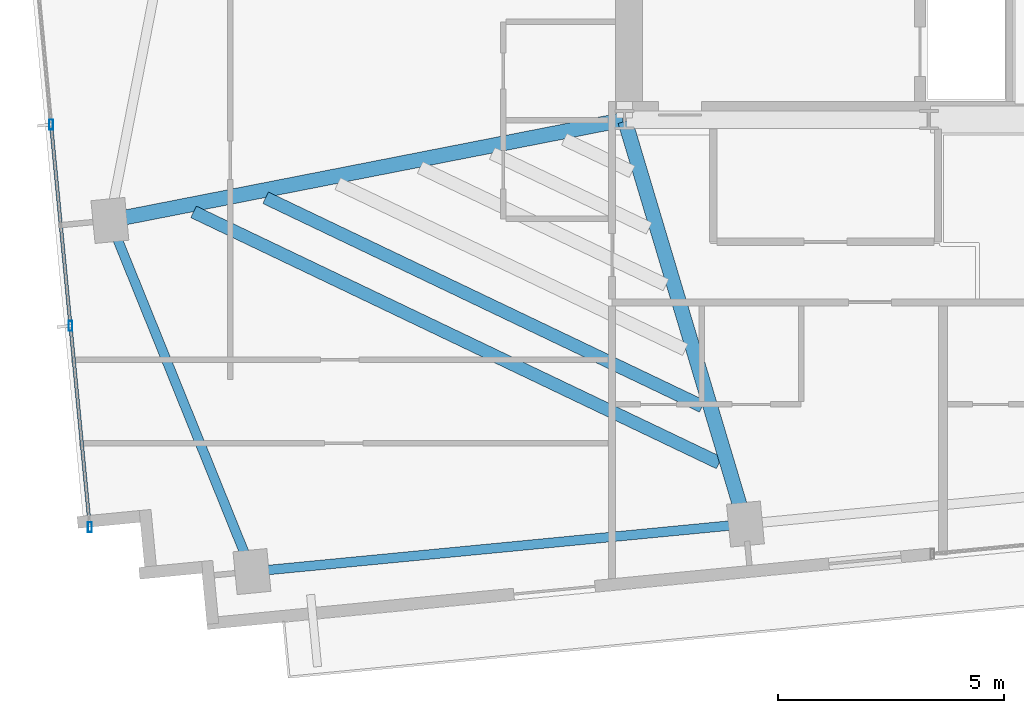
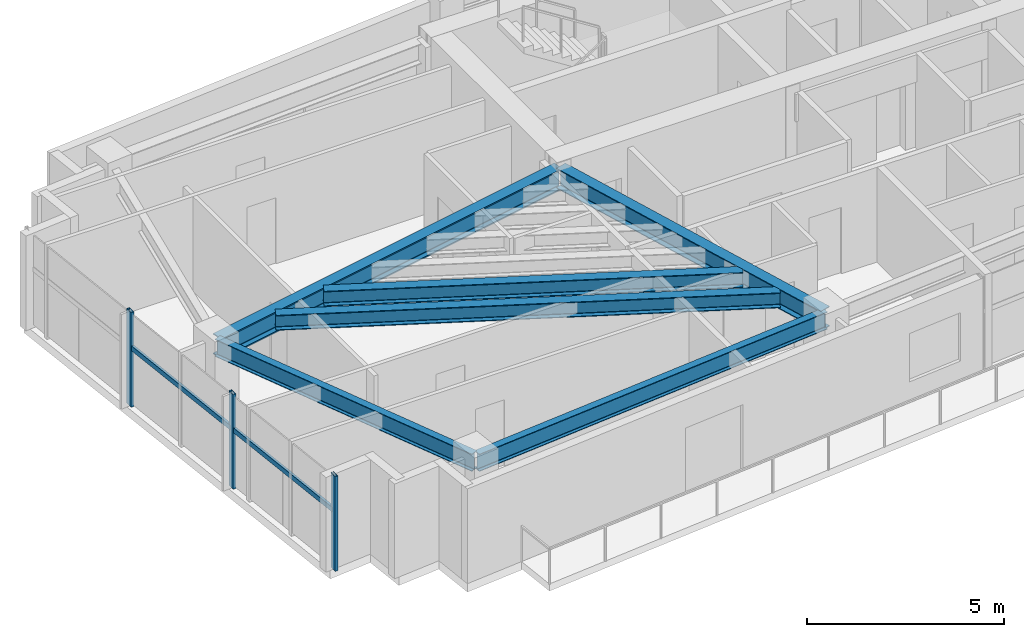
# One storey, part 2 of 18: 6 beams, 5 members, 1 element without a shape of its own.
"""IFC4 building model written with IfcOpenShell, lengths in metres."""

import ifcopenshell
import ifcopenshell.guid

model = None  # the IFC model being written
_history = None  # IfcOwnerHistory: only IFC2X3 demands one
_inside = {}  # id of a spatial element -> (the spatial element, [elements in it])
_under = {}  # id of a project, library or spatial element -> (it, [spatial elements below it])
_declared = {}  # id of a project -> (the project, [libraries it declares])
_typed = {}  # id of a type object -> (the type object, [elements of that type])
_made_of = {}  # id of a material, layer set ... -> (it, [elements and type objects made of it])


def new_model(schema):
    """Start an empty IFC model of exactly this schema.

    Asked for "IFC4X3", IfcOpenShell would pick the latest addendum, in which some entities
    have other attributes; the version numbers below select the first issue.
    IFC2X3 requires an IfcOwnerHistory on every rooted entity: one is made here for all.
    """
    global model, _history
    if schema == "IFC4X3":
        model = ifcopenshell.file(schema_version=(4, 3, 0, 0))
    else:
        model = ifcopenshell.file(schema=schema)
    _inside.clear()
    _under.clear()
    _declared.clear()
    _typed.clear()
    _made_of.clear()
    _history = None
    if model.schema == "IFC2X3":
        org = make("IfcOrganization", Name="unknown")
        user = make(
            "IfcPersonAndOrganization",
            ThePerson=make("IfcPerson", FamilyName="unknown"),
            TheOrganization=org,
        )
        app = make(
            "IfcApplication",
            ApplicationDeveloper=org,
            Version="unknown",
            ApplicationFullName="unknown",
            ApplicationIdentifier="unknown",
        )
        _history = make(
            "IfcOwnerHistory",
            OwningUser=user,
            OwningApplication=app,
            ChangeAction="ADDED",
            CreationDate=0,
        )
    return model


def make(cls, **values):
    """One entity of the class cls with the attributes given. An attribute that is None is left unset."""
    return model.create_entity(
        cls, **{name: value for name, value in values.items() if value is not None}
    )


def rooted(cls, **values):
    """An entity with a GlobalId (a new one), such as an element, a storey or a relation."""
    return make(cls, GlobalId=ifcopenshell.guid.new(), OwnerHistory=_history, **values)


def si_unit(unit_type, name, prefix=None):
    """IfcSIUnit, for example si_unit("LENGTHUNIT", "METRE", prefix="MILLI")."""
    return make("IfcSIUnit", UnitType=unit_type, Prefix=prefix, Name=name)


def assignment(units):
    """IfcUnitAssignment: the units of a project."""
    return None if units is None else make("IfcUnitAssignment", Units=units)


def point(xyz):
    """IfcCartesianPoint."""
    return None if xyz is None else make("IfcCartesianPoint", Coordinates=xyz)


def direction(xyz):
    """IfcDirection."""
    return None if xyz is None else make("IfcDirection", DirectionRatios=xyz)


def frame(location, z_axis=None, x_axis=None):
    """IfcAxis2Placement3D, a coordinate frame: its origin and axes. An axis left out is left unset."""
    return make(
        "IfcAxis2Placement3D",
        Location=point(location),
        Axis=direction(z_axis),
        RefDirection=direction(x_axis),
    )


def frame_2d(location, x_axis=None):
    """IfcAxis2Placement2D, a coordinate frame in the plane: its origin and x axis."""
    return make(
        "IfcAxis2Placement2D", Location=point(location), RefDirection=direction(x_axis)
    )


def origin():
    """The frame at (0, 0, 0) with its axes left unset."""
    return frame((0.0, 0.0, 0.0))


def origin_2d():
    """The frame at (0, 0) in the plane with its x axis left unset."""
    return frame_2d((0.0, 0.0))


def place(relative_to, where):
    """IfcLocalPlacement: puts the frame where relative to a parent placement (None: the world)."""
    return make(
        "IfcLocalPlacement", PlacementRelTo=relative_to, RelativePlacement=where
    )


def context(
    kind, dimensions, precision=None, world=None, true_north=None, identifier=None
):
    """IfcGeometricRepresentationContext, for example the 3D "Model" context."""
    return make(
        "IfcGeometricRepresentationContext",
        ContextIdentifier=identifier,
        ContextType=kind,
        CoordinateSpaceDimension=dimensions,
        Precision=precision,
        WorldCoordinateSystem=world,
        TrueNorth=true_north,
    )


def subcontext(parent, identifier, kind, view, scale=None):
    """IfcGeometricRepresentationSubContext, for example "Body" below "Model"."""
    return make(
        "IfcGeometricRepresentationSubContext",
        ContextIdentifier=identifier,
        ContextType=kind,
        ParentContext=parent,
        TargetScale=scale,
        TargetView=view,
    )


def project(units=None, contexts=None):
    """IfcProject with its units and contexts."""
    return rooted(
        "IfcProject",
        Name="project",
        RepresentationContexts=contexts,
        UnitsInContext=assignment(units),
    )


def spatial(cls, under=None, at=None, **own):
    """A site, building, storey or space (cls), placed at a placement, below another one or the project."""
    s = rooted(cls, ObjectPlacement=at, **own)
    if under is not None:
        _under.setdefault(under.id(), (under, []))[1].append(s)
    return s


def profile(cls, at=None, kind="AREA", **sizes):
    """A parametric profile (cls). Its sizes go by their IFC names, for example OverallWidth=200.0."""
    return make(cls, ProfileType=kind, Position=at, **sizes)


def hollow_rectangle(**sizes):
    """IfcRectangleHollowProfileDef."""
    return profile("IfcRectangleHollowProfileDef", **sizes)


def i_section(**sizes):
    """IfcIShapeProfileDef."""
    return profile("IfcIShapeProfileDef", **sizes)


def extrude(swept, where, along, depth):
    """IfcExtrudedAreaSolid: the profile swept, set in the frame where, extruded along a direction by depth."""
    return make(
        "IfcExtrudedAreaSolid",
        SweptArea=swept,
        Position=where,
        ExtrudedDirection=direction(along),
        Depth=depth,
    )


def shape(context_of_items, identifier, shape_type, items):
    """IfcShapeRepresentation: the items that make up one representation, for example the "Body"."""
    return make(
        "IfcShapeRepresentation",
        ContextOfItems=context_of_items,
        RepresentationIdentifier=identifier,
        RepresentationType=shape_type,
        Items=items,
    )


def source(mapping_origin, context_of_items, identifier, shape_type, items):
    """IfcRepresentationMap: a shape defined once, which mapped items show again and again."""
    return make(
        "IfcRepresentationMap",
        MappingOrigin=mapping_origin,
        MappedRepresentation=shape(context_of_items, identifier, shape_type, items),
    )


def transform(
    local_origin,
    x_axis=None,
    y_axis=None,
    z_axis=None,
    scale=None,
    scale2=None,
    scale3=None,
    uniform=True,
):
    """IfcCartesianTransformationOperator3D, or its non-uniform kind. x_axis, y_axis, z_axis: its Axis1, 2, 3."""
    if uniform:
        return make(
            "IfcCartesianTransformationOperator3D",
            Axis1=direction(x_axis),
            Axis2=direction(y_axis),
            LocalOrigin=point(local_origin),
            Scale=scale,
            Axis3=direction(z_axis),
        )
    return make(
        "IfcCartesianTransformationOperator3DnonUniform",
        Axis1=direction(x_axis),
        Axis2=direction(y_axis),
        LocalOrigin=point(local_origin),
        Scale=scale,
        Axis3=direction(z_axis),
        Scale2=scale2,
        Scale3=scale3,
    )


def mapped(mapping_source, mapping_target):
    """IfcMappedItem: shows the shape of a source again, moved by a transform."""
    return make(
        "IfcMappedItem", MappingSource=mapping_source, MappingTarget=mapping_target
    )


def material(Name=None, Category=None):
    """IfcMaterial."""
    return make("IfcMaterial", Name=Name, Category=Category)


def material_profile(
    of_material, cross_section, Name=None, Category=None, Priority=None
):
    """IfcMaterialProfile: a cross section and its material."""
    return make(
        "IfcMaterialProfile",
        Name=Name,
        Material=of_material,
        Profile=cross_section,
        Priority=Priority,
        Category=Category,
    )


def profile_set(profiles, Name=None, composite=None):
    """IfcMaterialProfileSet."""
    return make(
        "IfcMaterialProfileSet",
        Name=Name,
        MaterialProfiles=profiles,
        CompositeProfile=composite,
    )


def made_of(thing, what):
    """Note that an element or type object is made of a material, layer set ...; save() writes the relation."""
    if what is not None:
        _made_of.setdefault(what.id(), (what, []))[1].append(thing)
    return thing


def type_object(cls, material=None, **own):
    """A type object (cls), such as IfcWallType, which elements share."""
    return made_of(rooted(cls, **own), material)


def type_shapes(of_type, sources):
    """Give a type object the sources (RepresentationMaps) that its elements show as mapped items."""
    of_type.RepresentationMaps = sources


def element(
    cls,
    number,
    at=None,
    inside=None,
    cuts=None,
    type_object=None,
    material=None,
    context=None,
    identifier="Body",
    shape_type=None,
    held_by="IfcProductDefinitionShape",
    body=None,
    shapes=None,
    **own,
):
    """One element of the class cls, such as IfcWall. Its Tag is "e" and its number.

    at: its placement. inside: the storey or other place that contains it. cuts: it is an
    opening in that element (IfcRelVoidsElement). A single representation is given by context,
    identifier, shape_type and body (its items); several are given by shapes. held_by: the class
    of the entity that holds the representations. save() writes the other relations.
    """
    e = rooted(cls, Tag="e%d" % number, ObjectPlacement=at, **own)
    if body is not None:
        shapes = [shape(context, identifier, shape_type, body)]
    if shapes is not None:
        e.Representation = make(held_by, Representations=shapes)
    if inside is not None:
        _inside.setdefault(inside.id(), (inside, []))[1].append(e)
    if cuts is not None:
        rooted(
            "IfcRelVoidsElement", RelatingBuildingElement=cuts, RelatedOpeningElement=e
        )
    if type_object is not None:
        _typed.setdefault(type_object.id(), (type_object, []))[1].append(e)
    return made_of(e, material)


def aggregate(whole, parts):
    """IfcRelAggregates: a whole, such as a stair, and the parts it consists of."""
    return rooted("IfcRelAggregates", RelatingObject=whole, RelatedObjects=parts)


def save(model, path):
    """Write the relations noted so far, then the file.

    IfcRelAggregates (storeys below a building ...), IfcRelContainedInSpatialStructure (elements
    in a storey), IfcRelDefinesByType, IfcRelAssociatesMaterial and IfcRelDeclares: one each for
    every whole, place, type object, material and project.
    """
    for whole, parts in _under.values():
        aggregate(whole, parts)
    for where, things in _inside.values():
        rooted(
            "IfcRelContainedInSpatialStructure",
            RelatedElements=things,
            RelatingStructure=where,
        )
    for kind, things in _typed.values():
        rooted("IfcRelDefinesByType", RelatedObjects=things, RelatingType=kind)
    for what, things in _made_of.values():
        rooted("IfcRelAssociatesMaterial", RelatedObjects=things, RelatingMaterial=what)
    for by, libraries in _declared.values():
        rooted("IfcRelDeclares", RelatingContext=by, RelatedDefinitions=libraries)
    model.write(path)


model = new_model("IFC4")

# Units and contexts
model_context = context("Model", 3, precision=1e-05, world=origin(), true_north=direction((0.0, 1.0)))
body_context = subcontext(model_context, "Body", "Model", "MODEL_VIEW")
ifc_project = project(units=[si_unit("LENGTHUNIT", "METRE"), si_unit("AREAUNIT", "SQUARE_METRE"), si_unit("VOLUMEUNIT", "CUBIC_METRE"), si_unit("PLANEANGLEUNIT", "RADIAN"), si_unit("MASSUNIT", "GRAM", prefix="KILO")], contexts=[model_context])

# Site, building, storey
site_placement = place(None, origin())
site = spatial("IfcSite", under=ifc_project, at=site_placement, CompositionType="ELEMENT")
building_placement = place(site_placement, origin())
building = spatial("IfcBuilding", under=site, at=building_placement, Name="Astriad Promenade Condominiums", CompositionType="ELEMENT")
storey_placement = place(building_placement, frame((0.0, 0.0, 201.800048828125)))
storey = spatial("IfcBuildingStorey", under=building, at=storey_placement, Name="L58", CompositionType="ELEMENT", Elevation=201.800048828125)

# Beams
ifc_material_1 = material(Name="Steel ASTM A992 Grade 50", Category="steel")
ifc_material_profile_1 = material_profile(ifc_material_1, i_section(OverallWidth=0.210693359375, OverallDepth=0.53955078125, WebThickness=0.01171875, FlangeThickness=0.018798828125, FilletRadius=0.0166015625, at=origin_2d()), Name="W21X73")
ifc_profile_set_1 = profile_set([ifc_material_profile_1], Name="Steel ASTM A992 Grade 50")
beam_type_1 = type_object("IfcBeamType", Name="STEEL SPANDREL BEAM W21X73", PredefinedType="SPANDREL", material=ifc_profile_set_1)
shared_shape_1 = source(origin(), body_context, "Body", "SweptSolid", [
    extrude(i_section(OverallWidth=0.210693359375, OverallDepth=0.53955078125, WebThickness=0.01171875, FlangeThickness=0.018798828125, FilletRadius=0.0166015625, at=origin_2d()), origin(), (0.0, 0.0, 1.0), 10.8701171875),
])
beam_1_placement = place(storey_placement, frame((18.209228515625, 7.421630859375, 2.670166015625), z_axis=(0.995394986184, 0.09585834069, 0.0), x_axis=(-0.09585834069, 0.995394986184, 0.0)))
element("IfcBeam", 1, at=beam_1_placement, inside=storey, type_object=beam_type_1, Name="Perimeter Spandrel Beam SP-S1-L58", PredefinedType="SPANDREL", context=body_context, shape_type="MappedRepresentation", body=[
    mapped(shared_shape_1, transform((0.0, 0.0, 0.0), scale=1.0)),
])
shared_shape_2 = source(origin(), body_context, "Body", "SweptSolid", [
    extrude(i_section(OverallWidth=0.210693359375, OverallDepth=0.53955078125, WebThickness=0.01171875, FlangeThickness=0.018798828125, FilletRadius=0.0166015625, at=origin_2d()), origin(), (0.0, 0.0, 1.0), 8.28564453125),
])
type_shapes(beam_type_1, [shared_shape_1, shared_shape_2])
beam_2_placement = place(storey_placement, frame((15.046875, 15.1357421875, 2.670166015625), z_axis=(0.375070987134, -0.926996092014, 0.0), x_axis=(0.926996092014, 0.375070987134, 0.0)))
element("IfcBeam", 2, at=beam_2_placement, inside=storey, type_object=beam_type_1, Name="Perimeter Spandrel Beam SP-W1-L58", PredefinedType="SPANDREL", context=body_context, shape_type="MappedRepresentation", body=[
    mapped(shared_shape_2, transform((0.0, 0.0, 0.0), scale=1.0)),
])
ifc_material_profile_2 = material_profile(ifc_material_1, i_section(OverallWidth=0.327392578125, OverallDepth=0.640625, WebThickness=0.01904296875, FlangeThickness=0.033935546875, FilletRadius=0.017822265625, at=origin_2d()), Name="W24X176")
ifc_profile_set_2 = profile_set([ifc_material_profile_2], Name="Steel ASTM A992 Grade 50")
beam_type_2 = type_object("IfcBeamType", Name="STEEL FLOOR GIRDER W24X176", PredefinedType="BEAM", material=ifc_profile_set_2)
shared_shape_3 = source(origin(), body_context, "Body", "SweptSolid", [
    extrude(i_section(OverallWidth=0.327392578125, OverallDepth=0.640625, WebThickness=0.01904296875, FlangeThickness=0.033935546875, FilletRadius=0.017822265625, at=origin_2d()), origin(), (0.0, 0.0, 1.0), 11.504150390625),
])
type_shapes(beam_type_2, [shared_shape_3])
beam_3_placement = place(storey_placement, frame((15.071044921875, 15.1806640625, 2.61962890625), z_axis=(0.981346028441, 0.192249765833, 0.0), x_axis=(-0.192249765833, 0.981346028441, 0.0)))
element("IfcBeam", 3, at=beam_3_placement, inside=storey, type_object=beam_type_2, Name="Primary Floor Girder PG-WM-L58", PredefinedType="BEAM", context=body_context, shape_type="MappedRepresentation", body=[
    mapped(shared_shape_3, transform((0.0, 0.0, 0.0), scale=1.0)),
])
ifc_material_profile_3 = material_profile(ifc_material_1, i_section(OverallWidth=0.326416015625, OverallDepth=0.621826171875, WebThickness=0.015380859375, FlangeThickness=0.0244140625, FilletRadius=0.017822265625, at=origin_2d()), Name="W24X131")
ifc_profile_set_3 = profile_set([ifc_material_profile_3], Name="Steel ASTM A992 Grade 50")
beam_type_3 = type_object("IfcBeamType", Name="STEEL FLOOR GIRDER W24X131", PredefinedType="BEAM", material=ifc_profile_set_3)
shared_shape_4 = source(origin(), body_context, "Body", "SweptSolid", [
    extrude(i_section(OverallWidth=0.326416015625, OverallDepth=0.621826171875, WebThickness=0.015380859375, FlangeThickness=0.0244140625, FilletRadius=0.017822265625, at=origin_2d()), origin(), (0.0, 0.0, 1.0), 9.242919921875),
])
type_shapes(beam_type_3, [shared_shape_4])
beam_4_placement = place(storey_placement, frame((29.0576171875, 8.505615234375, 2.629150390625), z_axis=(-0.286269354745, 0.958149182818, 0.0), x_axis=(-0.958149182818, -0.286269354745, 0.0)))
element("IfcBeam", 4, at=beam_4_placement, inside=storey, type_object=beam_type_3, Name="Primary Floor Girder PG-W2-L58", PredefinedType="BEAM", context=body_context, shape_type="MappedRepresentation", body=[
    mapped(shared_shape_4, transform((0.0, 0.0, 0.0), scale=1.0)),
])
ifc_material_profile_4 = material_profile(ifc_material_1, i_section(OverallWidth=0.283203125, OverallDepth=0.47216796875, WebThickness=0.013671875, FlangeThickness=0.022216796875, FilletRadius=0.01513671875, at=origin_2d()), Name="W18X97")
ifc_profile_set_4 = profile_set([ifc_material_profile_4], Name="Steel ASTM A992 Grade 50")
beam_type_4 = type_object("IfcBeamType", Name="STEEL FLOOR JOIST W18X97", PredefinedType="JOIST", material=ifc_profile_set_4)
shared_shape_5 = source(origin(), body_context, "Body", "SweptSolid", [
    extrude(i_section(OverallWidth=0.283203125, OverallDepth=0.47216796875, WebThickness=0.013671875, FlangeThickness=0.022216796875, FilletRadius=0.01513671875, at=origin_2d()), origin(), (0.0, 0.0, 1.0), 12.864013671875),
])
beam_5_placement = place(storey_placement, frame((16.8798828125, 15.362060546875, 2.703857421875), z_axis=(0.902332932985, -0.431039763886, 0.0), x_axis=(0.431039763886, 0.902332932985, 0.0)))
element("IfcBeam", 5, at=beam_5_placement, inside=storey, type_object=beam_type_4, Name="Secondary Composite Floor Joist JW1-1-L58", PredefinedType="JOIST", context=body_context, shape_type="MappedRepresentation", body=[
    mapped(shared_shape_5, transform((0.0, 0.0, 0.0), scale=1.0)),
])
shared_shape_6 = source(origin(), body_context, "Body", "SweptSolid", [
    extrude(i_section(OverallWidth=0.283203125, OverallDepth=0.47216796875, WebThickness=0.013671875, FlangeThickness=0.022216796875, FilletRadius=0.01513671875, at=origin_2d()), origin(), (0.0, 0.0, 1.0), 10.686279296875),
])
type_shapes(beam_type_4, [shared_shape_5, shared_shape_6])
beam_6_placement = place(storey_placement, frame((18.471435546875, 15.673828125, 2.703857421875), z_axis=(0.902342124644, -0.431020521661, 0.0), x_axis=(0.431020521661, 0.902342124644, 0.0)))
element("IfcBeam", 6, at=beam_6_placement, inside=storey, type_object=beam_type_4, Name="Secondary Composite Floor Joist JW1-2-L58", PredefinedType="JOIST", context=body_context, shape_type="MappedRepresentation", body=[
    mapped(shared_shape_6, transform((0.0, 0.0, 0.0), scale=1.0)),
])

# Curtain wall, members
ifc_material_2 = material(Name="Anodised aluminium Black Dark Glass Unitised", Category="aluminium")
curtain_wall_type = type_object("IfcCurtainWallType", Name="CW-B34-DARK", PredefinedType="USERDEFINED", material=ifc_material_2)
curtain_wall_placement = place(storey_placement, origin())
curtain_wall = element("IfcCurtainWall", 7, at=curtain_wall_placement, inside=storey, type_object=curtain_wall_type, Name="CW-L58-W", ObjectType="UNITISED_CURTAIN_WALL", PredefinedType="USERDEFINED")
ifc_material_3 = material(Name="Anodised aluminium 6063-T6 Black", Category="aluminium")
ifc_material_profile_5 = material_profile(ifc_material_3, hollow_rectangle(XDim=0.0849609375, YDim=0.219970703125, WallThickness=0.0048828125, at=origin_2d()), Name="ALU-MUL-85X220")
ifc_profile_set_5 = profile_set([ifc_material_profile_5], Name="Anodised aluminium 6063-T6 Black")
member_type_1 = type_object("IfcMemberType", Name="MUL-ALU-MUL-85X220", PredefinedType="MULLION", material=ifc_profile_set_5)
shared_shape_7 = source(origin(), body_context, "Body", "SweptSolid", [
    extrude(hollow_rectangle(XDim=0.0849609375, YDim=0.219970703125, WallThickness=0.0048828125, at=origin_2d()), origin(), (0.0, 0.0, 1.0), 2.93994140625),
])
type_shapes(member_type_1, [shared_shape_7])
member_1_placement = place(storey_placement, frame((14.589111328125, 8.3994140625, 0.0), z_axis=(0.0, 0.0, 1.0), x_axis=(1.0, 0.0, 0.0)))
member_1 = element("IfcMember", 8, at=member_1_placement, type_object=member_type_1, Name="CW-L58-W-MUL-00", PredefinedType="MULLION", context=body_context, shape_type="MappedRepresentation", body=[
    mapped(shared_shape_7, transform((0.0, 0.0, 0.0), scale=1.0)),
])
member_2_placement = place(storey_placement, frame((14.160888671875, 12.845458984375, 0.0), z_axis=(0.0, 0.0, 1.0), x_axis=(1.0, 0.0, 0.0)))
member_2 = element("IfcMember", 9, at=member_2_placement, type_object=member_type_1, Name="CW-L58-W-MUL-01", PredefinedType="MULLION", context=body_context, shape_type="MappedRepresentation", body=[
    mapped(shared_shape_7, transform((0.0, 0.0, 0.0), scale=1.0)),
])
member_3_placement = place(storey_placement, frame((13.732666015625, 17.29150390625, 0.0), z_axis=(0.0, 0.0, 1.0), x_axis=(1.0, 0.0, 0.0)))
member_3 = element("IfcMember", 10, at=member_3_placement, type_object=member_type_1, Name="CW-L58-W-MUL-02", PredefinedType="MULLION", context=body_context, shape_type="MappedRepresentation", body=[
    mapped(shared_shape_7, transform((0.0, 0.0, 0.0), scale=1.0)),
])
ifc_material_profile_6 = material_profile(ifc_material_3, hollow_rectangle(XDim=0.074951171875, YDim=0.14990234375, WallThickness=0.004150390625, at=origin_2d()), Name="ALU-TRN-75X150")
ifc_profile_set_6 = profile_set([ifc_material_profile_6], Name="Anodised aluminium 6063-T6 Black")
member_type_2 = type_object("IfcMemberType", Name="TRN-ALU-TRN-75X150", PredefinedType="USERDEFINED", material=ifc_profile_set_6)
shared_shape_8 = source(origin(), body_context, "Body", "SweptSolid", [
    extrude(hollow_rectangle(XDim=0.074951171875, YDim=0.14990234375, WallThickness=0.004150390625, at=origin_2d()), origin(), (0.0, 0.0, 1.0), 4.466552734375),
])
type_shapes(member_type_2, [shared_shape_8])
member_4_placement = place(storey_placement, frame((14.589111328125, 8.3994140625, 1.82275390625), z_axis=(-0.095871755514, 0.995393694221, 0.0), x_axis=(-0.995393694221, -0.095871755514, 0.0)))
member_4 = element("IfcMember", 11, at=member_4_placement, type_object=member_type_2, Name="CW-L58-W-TRN-00-0", ObjectType="TRANSOM", PredefinedType="USERDEFINED", context=body_context, shape_type="MappedRepresentation", body=[
    mapped(shared_shape_8, transform((0.0, 0.0, 0.0), scale=1.0)),
])
member_5_placement = place(storey_placement, frame((14.160888671875, 12.845458984375, 1.82275390625), z_axis=(-0.095871755514, 0.995393694221, 0.0), x_axis=(-0.995393694221, -0.095871755514, 0.0)))
member_5 = element("IfcMember", 12, at=member_5_placement, type_object=member_type_2, Name="CW-L58-W-TRN-01-0", ObjectType="TRANSOM", PredefinedType="USERDEFINED", context=body_context, shape_type="MappedRepresentation", body=[
    mapped(shared_shape_8, transform((0.0, 0.0, 0.0), scale=1.0)),
])
aggregate(curtain_wall, [member_1, member_2, member_3, member_4, member_5])

save(model, "model.ifc")
